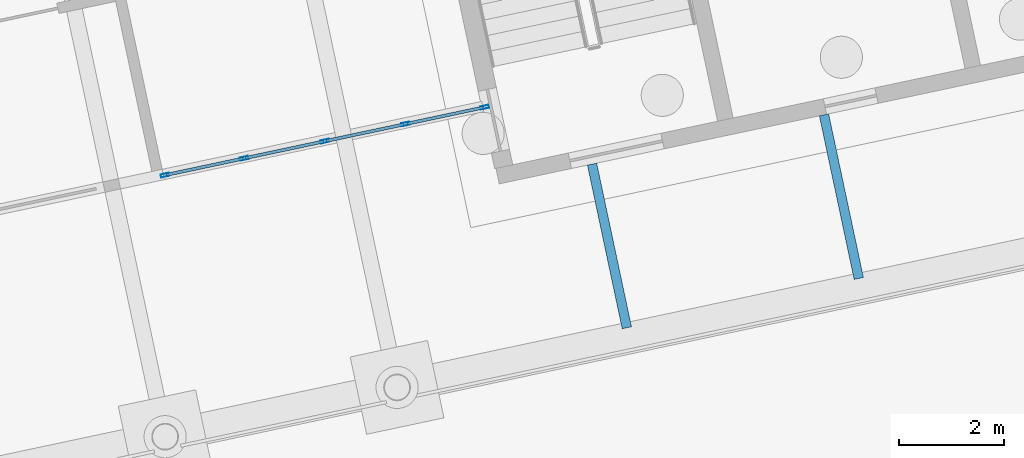
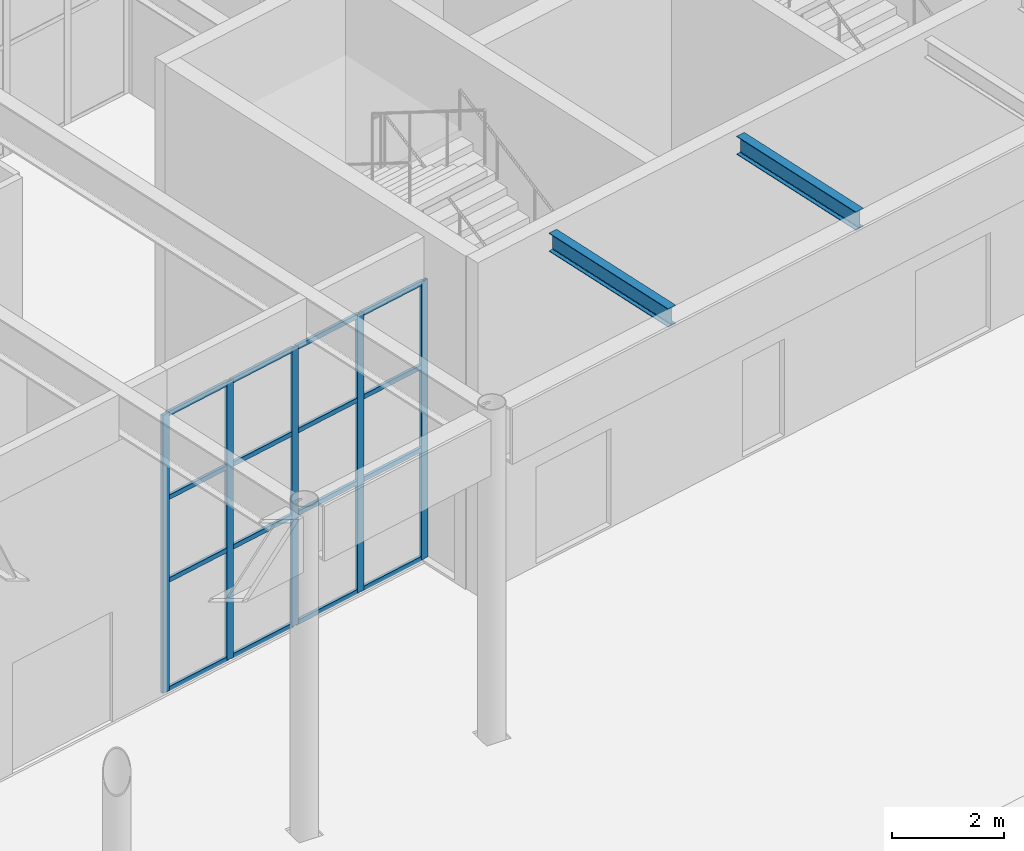
# One storey, part 98 of 239: 21 members, 2 beams, 1 element without a shape of its own.
"""IFC4 building model written with IfcOpenShell, lengths in metres."""

from ifc_helpers import new_model, si_unit, direction, frame, origin, origin_2d, place, context, subcontext, project, spatial, hollow_rectangle, i_section, extrude, material, material_profile, profile_set, type_object, element, aggregate, save


model = new_model("IFC4")

# Units and contexts
model_context = context("Model", 3, precision=1e-05, world=origin(), true_north=direction((0.0, 1.0)))
body_context = subcontext(model_context, "Body", "Model", "MODEL_VIEW")
ifc_project = project(units=[si_unit("LENGTHUNIT", "METRE"), si_unit("AREAUNIT", "SQUARE_METRE"), si_unit("VOLUMEUNIT", "CUBIC_METRE"), si_unit("PLANEANGLEUNIT", "RADIAN"), si_unit("MASSUNIT", "GRAM", prefix="KILO")], contexts=[model_context])

# Site, building, storey
site_placement = place(None, origin())
site = spatial("IfcSite", under=ifc_project, at=site_placement, CompositionType="ELEMENT")
building_placement = place(site_placement, origin())
building = spatial("IfcBuilding", under=site, at=building_placement, Name="Okhra Congress Centre", CompositionType="ELEMENT")
storey_placement = place(building_placement, origin())
storey = spatial("IfcBuildingStorey", under=building, at=storey_placement, Name="L00", CompositionType="ELEMENT", Elevation=0.0)

# Curtain wall, members
ifc_material_1 = material(Name="Aluminium curtain wall, triple glazing", Category="aluminium")
curtain_wall_type = type_object("IfcCurtainWallType", Name="Curtain wall 1500 module", PredefinedType="NOTDEFINED", material=ifc_material_1)
curtain_wall_placement = place(storey_placement, origin())
curtain_wall = element("IfcCurtainWall", 1, at=curtain_wall_placement, inside=storey, type_object=curtain_wall_type, Name="Ground curtain wall S5", PredefinedType="NOTDEFINED")
ifc_material_2 = material(Name="Aluminium alloy EN AW-6063 T66", Category="aluminium")
ifc_material_profile_1 = material_profile(ifc_material_2, hollow_rectangle(XDim=0.06005859375, YDim=0.159912109375, WallThickness=0.00390625, at=origin_2d()), Name="RHS 60x160x4")
ifc_profile_set_1 = profile_set([ifc_material_profile_1], Name="Aluminium alloy EN AW-6063 T66")
member_type_1 = type_object("IfcMemberType", Name="Curtain wall mullion 60x160", PredefinedType="MULLION", material=ifc_profile_set_1)
member_1_placement = place(storey_placement, frame((193.05908203125, 59.84033203125, 0.0), z_axis=(0.0, 0.0, 1.0), x_axis=(-0.207911690818, 0.978147600734, 0.0)))
member_1 = element("IfcMember", 2, at=member_1_placement, type_object=member_type_1, Name="CW7 mullion 1", PredefinedType="MULLION", context=body_context, shape_type="SweptSolid", body=[
    extrude(hollow_rectangle(XDim=0.06005859375, YDim=0.159912109375, WallThickness=0.00390625, at=origin_2d()), origin(), (0.0, 0.0, 1.0), 6.050048828125),
])
member_2_placement = place(storey_placement, frame((194.560546875, 60.159423828125, 0.0), z_axis=(0.0, 0.0, 1.0), x_axis=(-0.207911690818, 0.978147600734, 0.0)))
member_2 = element("IfcMember", 3, at=member_2_placement, type_object=member_type_1, Name="CW7 mullion 2", PredefinedType="MULLION", context=body_context, shape_type="SweptSolid", body=[
    extrude(hollow_rectangle(XDim=0.06005859375, YDim=0.159912109375, WallThickness=0.00390625, at=origin_2d()), origin(), (0.0, 0.0, 1.0), 6.050048828125),
])
member_3_placement = place(storey_placement, frame((196.09130859375, 60.48486328125, 0.0), z_axis=(0.0, 0.0, 1.0), x_axis=(-0.207911690818, 0.978147600734, 0.0)))
member_3 = element("IfcMember", 4, at=member_3_placement, type_object=member_type_1, Name="CW7 mullion 3", PredefinedType="MULLION", context=body_context, shape_type="SweptSolid", body=[
    extrude(hollow_rectangle(XDim=0.06005859375, YDim=0.159912109375, WallThickness=0.00390625, at=origin_2d()), origin(), (0.0, 0.0, 1.0), 6.050048828125),
])
member_4_placement = place(storey_placement, frame((197.6220703125, 60.810302734375, 0.0), z_axis=(0.0, 0.0, 1.0), x_axis=(-0.207911690818, 0.978147600734, 0.0)))
member_4 = element("IfcMember", 5, at=member_4_placement, type_object=member_type_1, Name="CW7 mullion 4", PredefinedType="MULLION", context=body_context, shape_type="SweptSolid", body=[
    extrude(hollow_rectangle(XDim=0.06005859375, YDim=0.159912109375, WallThickness=0.00390625, at=origin_2d()), origin(), (0.0, 0.0, 1.0), 6.050048828125),
])
member_5_placement = place(storey_placement, frame((199.12353515625, 61.12939453125, 0.0), z_axis=(0.0, 0.0, 1.0), x_axis=(-0.207911690818, 0.978147600734, 0.0)))
member_5 = element("IfcMember", 6, at=member_5_placement, type_object=member_type_1, Name="CW7 mullion 5", PredefinedType="MULLION", context=body_context, shape_type="SweptSolid", body=[
    extrude(hollow_rectangle(XDim=0.06005859375, YDim=0.159912109375, WallThickness=0.00390625, at=origin_2d()), origin(), (0.0, 0.0, 1.0), 6.050048828125),
])
ifc_material_profile_2 = material_profile(ifc_material_2, hollow_rectangle(XDim=0.06005859375, YDim=0.10009765625, WallThickness=0.00390625, at=origin_2d()), Name="RHS 60x100x4")
ifc_profile_set_2 = profile_set([ifc_material_profile_2], Name="Aluminium alloy EN AW-6063 T66")
member_type_2 = type_object("IfcMemberType", Name="Curtain wall transom 60x100", PredefinedType="USERDEFINED", material=ifc_profile_set_2)
member_6_placement = place(storey_placement, frame((193.08837890625, 59.8466796875, 0.030029296875), z_axis=(0.978147490412, 0.207912209842, 0.0), x_axis=(-0.207912209842, 0.978147490412, 0.0)))
member_6 = element("IfcMember", 7, at=member_6_placement, type_object=member_type_2, Name="CW7 transom 1.1", ObjectType="TRANSOM", PredefinedType="USERDEFINED", context=body_context, shape_type="SweptSolid", body=[
    extrude(hollow_rectangle(XDim=0.06005859375, YDim=0.10009765625, WallThickness=0.00390625, at=origin_2d()), origin(), (0.0, 0.0, 1.0), 1.474853515625),
])
member_7_placement = place(storey_placement, frame((193.08837890625, 59.8466796875, 2.39990234375), z_axis=(0.978147490412, 0.207912209842, 0.0), x_axis=(-0.207912209842, 0.978147490412, 0.0)))
member_7 = element("IfcMember", 8, at=member_7_placement, type_object=member_type_2, Name="CW7 transom 1.2", ObjectType="TRANSOM", PredefinedType="USERDEFINED", context=body_context, shape_type="SweptSolid", body=[
    extrude(hollow_rectangle(XDim=0.06005859375, YDim=0.10009765625, WallThickness=0.00390625, at=origin_2d()), origin(), (0.0, 0.0, 1.0), 1.474853515625),
])
member_8_placement = place(storey_placement, frame((193.08837890625, 59.8466796875, 4.199951171875), z_axis=(0.978147490412, 0.207912209842, 0.0), x_axis=(-0.207912209842, 0.978147490412, 0.0)))
member_8 = element("IfcMember", 9, at=member_8_placement, type_object=member_type_2, Name="CW7 transom 1.3", ObjectType="TRANSOM", PredefinedType="USERDEFINED", context=body_context, shape_type="SweptSolid", body=[
    extrude(hollow_rectangle(XDim=0.06005859375, YDim=0.10009765625, WallThickness=0.00390625, at=origin_2d()), origin(), (0.0, 0.0, 1.0), 1.474853515625),
])
member_9_placement = place(storey_placement, frame((193.08837890625, 59.8466796875, 6.02001953125), z_axis=(0.978147490412, 0.207912209842, 0.0), x_axis=(-0.207912209842, 0.978147490412, 0.0)))
member_9 = element("IfcMember", 10, at=member_9_placement, type_object=member_type_2, Name="CW7 transom 1.4", ObjectType="TRANSOM", PredefinedType="USERDEFINED", context=body_context, shape_type="SweptSolid", body=[
    extrude(hollow_rectangle(XDim=0.06005859375, YDim=0.10009765625, WallThickness=0.00390625, at=origin_2d()), origin(), (0.0, 0.0, 1.0), 1.474853515625),
])
member_10_placement = place(storey_placement, frame((194.58984375, 60.165771484375, 0.030029296875), z_axis=(0.978138233134, 0.207955757028, 0.0), x_axis=(-0.207955757028, 0.978138233134, 0.0)))
member_10 = element("IfcMember", 11, at=member_10_placement, type_object=member_type_2, Name="CW7 transom 2.1", ObjectType="TRANSOM", PredefinedType="USERDEFINED", context=body_context, shape_type="SweptSolid", body=[
    extrude(hollow_rectangle(XDim=0.06005859375, YDim=0.10009765625, WallThickness=0.00390625, at=origin_2d()), origin(), (0.0, 0.0, 1.0), 1.505126953125),
])
member_11_placement = place(storey_placement, frame((194.58984375, 60.165771484375, 2.39990234375), z_axis=(0.978138233134, 0.207955757028, 0.0), x_axis=(-0.207955757028, 0.978138233134, 0.0)))
member_11 = element("IfcMember", 12, at=member_11_placement, type_object=member_type_2, Name="CW7 transom 2.2", ObjectType="TRANSOM", PredefinedType="USERDEFINED", context=body_context, shape_type="SweptSolid", body=[
    extrude(hollow_rectangle(XDim=0.06005859375, YDim=0.10009765625, WallThickness=0.00390625, at=origin_2d()), origin(), (0.0, 0.0, 1.0), 1.505126953125),
])
member_12_placement = place(storey_placement, frame((194.58984375, 60.165771484375, 4.199951171875), z_axis=(0.978138233134, 0.207955757028, 0.0), x_axis=(-0.207955757028, 0.978138233134, 0.0)))
member_12 = element("IfcMember", 13, at=member_12_placement, type_object=member_type_2, Name="CW7 transom 2.3", ObjectType="TRANSOM", PredefinedType="USERDEFINED", context=body_context, shape_type="SweptSolid", body=[
    extrude(hollow_rectangle(XDim=0.06005859375, YDim=0.10009765625, WallThickness=0.00390625, at=origin_2d()), origin(), (0.0, 0.0, 1.0), 1.505126953125),
])
member_13_placement = place(storey_placement, frame((194.58984375, 60.165771484375, 6.02001953125), z_axis=(0.978138233134, 0.207955757028, 0.0), x_axis=(-0.207955757028, 0.978138233134, 0.0)))
member_13 = element("IfcMember", 14, at=member_13_placement, type_object=member_type_2, Name="CW7 transom 2.4", ObjectType="TRANSOM", PredefinedType="USERDEFINED", context=body_context, shape_type="SweptSolid", body=[
    extrude(hollow_rectangle(XDim=0.06005859375, YDim=0.10009765625, WallThickness=0.00390625, at=origin_2d()), origin(), (0.0, 0.0, 1.0), 1.505126953125),
])
member_14_placement = place(storey_placement, frame((196.12060546875, 60.4912109375, 0.030029296875), z_axis=(0.978171217388, 0.207800552151, 0.0), x_axis=(-0.207800552151, 0.978171217388, 0.0)))
member_14 = element("IfcMember", 15, at=member_14_placement, type_object=member_type_2, Name="CW7 transom 3.1", ObjectType="TRANSOM", PredefinedType="USERDEFINED", context=body_context, shape_type="SweptSolid", body=[
    extrude(hollow_rectangle(XDim=0.06005859375, YDim=0.10009765625, WallThickness=0.00390625, at=origin_2d()), origin(), (0.0, 0.0, 1.0), 1.505126953125),
])
member_15_placement = place(storey_placement, frame((196.12060546875, 60.4912109375, 2.39990234375), z_axis=(0.978171217388, 0.207800552151, 0.0), x_axis=(-0.207800552151, 0.978171217388, 0.0)))
member_15 = element("IfcMember", 16, at=member_15_placement, type_object=member_type_2, Name="CW7 transom 3.2", ObjectType="TRANSOM", PredefinedType="USERDEFINED", context=body_context, shape_type="SweptSolid", body=[
    extrude(hollow_rectangle(XDim=0.06005859375, YDim=0.10009765625, WallThickness=0.00390625, at=origin_2d()), origin(), (0.0, 0.0, 1.0), 1.505126953125),
])
member_16_placement = place(storey_placement, frame((196.12060546875, 60.4912109375, 4.199951171875), z_axis=(0.978171217388, 0.207800552151, 0.0), x_axis=(-0.207800552151, 0.978171217388, 0.0)))
member_16 = element("IfcMember", 17, at=member_16_placement, type_object=member_type_2, Name="CW7 transom 3.3", ObjectType="TRANSOM", PredefinedType="USERDEFINED", context=body_context, shape_type="SweptSolid", body=[
    extrude(hollow_rectangle(XDim=0.06005859375, YDim=0.10009765625, WallThickness=0.00390625, at=origin_2d()), origin(), (0.0, 0.0, 1.0), 1.505126953125),
])
member_17_placement = place(storey_placement, frame((196.12060546875, 60.4912109375, 6.02001953125), z_axis=(0.978171217388, 0.207800552151, 0.0), x_axis=(-0.207800552151, 0.978171217388, 0.0)))
member_17 = element("IfcMember", 18, at=member_17_placement, type_object=member_type_2, Name="CW7 transom 3.4", ObjectType="TRANSOM", PredefinedType="USERDEFINED", context=body_context, shape_type="SweptSolid", body=[
    extrude(hollow_rectangle(XDim=0.06005859375, YDim=0.10009765625, WallThickness=0.00390625, at=origin_2d()), origin(), (0.0, 0.0, 1.0), 1.505126953125),
])
member_18_placement = place(storey_placement, frame((197.6513671875, 60.81640625, 0.030029296875), z_axis=(0.978120978643, 0.208036898503, 0.0), x_axis=(-0.208036898503, 0.978120978643, 0.0)))
member_18 = element("IfcMember", 19, at=member_18_placement, type_object=member_type_2, Name="CW7 transom 4.1", ObjectType="TRANSOM", PredefinedType="USERDEFINED", context=body_context, shape_type="SweptSolid", body=[
    extrude(hollow_rectangle(XDim=0.06005859375, YDim=0.10009765625, WallThickness=0.00390625, at=origin_2d()), origin(), (0.0, 0.0, 1.0), 1.47509765625),
])
member_19_placement = place(storey_placement, frame((197.6513671875, 60.81640625, 2.39990234375), z_axis=(0.978120978643, 0.208036898503, 0.0), x_axis=(-0.208036898503, 0.978120978643, 0.0)))
member_19 = element("IfcMember", 20, at=member_19_placement, type_object=member_type_2, Name="CW7 transom 4.2", ObjectType="TRANSOM", PredefinedType="USERDEFINED", context=body_context, shape_type="SweptSolid", body=[
    extrude(hollow_rectangle(XDim=0.06005859375, YDim=0.10009765625, WallThickness=0.00390625, at=origin_2d()), origin(), (0.0, 0.0, 1.0), 1.47509765625),
])
member_20_placement = place(storey_placement, frame((197.6513671875, 60.81640625, 4.199951171875), z_axis=(0.978120978643, 0.208036898503, 0.0), x_axis=(-0.208036898503, 0.978120978643, 0.0)))
member_20 = element("IfcMember", 21, at=member_20_placement, type_object=member_type_2, Name="CW7 transom 4.3", ObjectType="TRANSOM", PredefinedType="USERDEFINED", context=body_context, shape_type="SweptSolid", body=[
    extrude(hollow_rectangle(XDim=0.06005859375, YDim=0.10009765625, WallThickness=0.00390625, at=origin_2d()), origin(), (0.0, 0.0, 1.0), 1.47509765625),
])
member_21_placement = place(storey_placement, frame((197.6513671875, 60.81640625, 6.02001953125), z_axis=(0.978120978643, 0.208036898503, 0.0), x_axis=(-0.208036898503, 0.978120978643, 0.0)))
member_21 = element("IfcMember", 22, at=member_21_placement, type_object=member_type_2, Name="CW7 transom 4.4", ObjectType="TRANSOM", PredefinedType="USERDEFINED", context=body_context, shape_type="SweptSolid", body=[
    extrude(hollow_rectangle(XDim=0.06005859375, YDim=0.10009765625, WallThickness=0.00390625, at=origin_2d()), origin(), (0.0, 0.0, 1.0), 1.47509765625),
])
aggregate(curtain_wall, [member_1, member_2, member_3, member_4, member_5, member_6, member_7, member_8, member_9, member_10, member_11, member_12, member_13, member_14, member_15, member_16, member_17, member_18, member_19, member_20, member_21])

# Beams
ifc_material_3 = material(Name="Steel S355J2", Category="steel")
ifc_material_profile_3 = material_profile(ifc_material_3, i_section(OverallWidth=0.179931640625, OverallDepth=0.39990234375, WebThickness=0.008544921875, FlangeThickness=0.013427734375, FilletRadius=0.02099609375, at=origin_2d()), Name="IPE 400")
ifc_profile_set_3 = profile_set([ifc_material_profile_3], Name="Steel S355J2")
beam_type = type_object("IfcBeamType", Name="Floor beam stub IPE 400", PredefinedType="BEAM", material=ifc_profile_set_3)
for number, where, z_axis, x_axis, name in (
    (23, (201.82275390625, 56.944091796875, 6.85009765625), (-0.207916691923, 0.978146537703, 0.0), (-0.978146537703, -0.207916691923, 0.0), "Floor beam 32.1"),
    (24, (206.224365234375, 57.879638671875, 6.85009765625), (-0.207916691923, 0.978146537703, 0.0), (-0.978146537703, -0.207916691923, 0.0), "Floor beam 33.1"),
):
    element("IfcBeam", number, at=place(storey_placement, frame(where, z_axis=z_axis, x_axis=x_axis)), inside=storey, type_object=beam_type, Name=name, PredefinedType="BEAM", context=body_context, shape_type="SweptSolid", body=[
        extrude(i_section(OverallWidth=0.179931640625, OverallDepth=0.39990234375, WebThickness=0.008544921875, FlangeThickness=0.013427734375, FilletRadius=0.02099609375, at=origin_2d()), origin(), (0.0, 0.0, 1.0), 3.175048828125),
    ])

save(model, "model.ifc")
